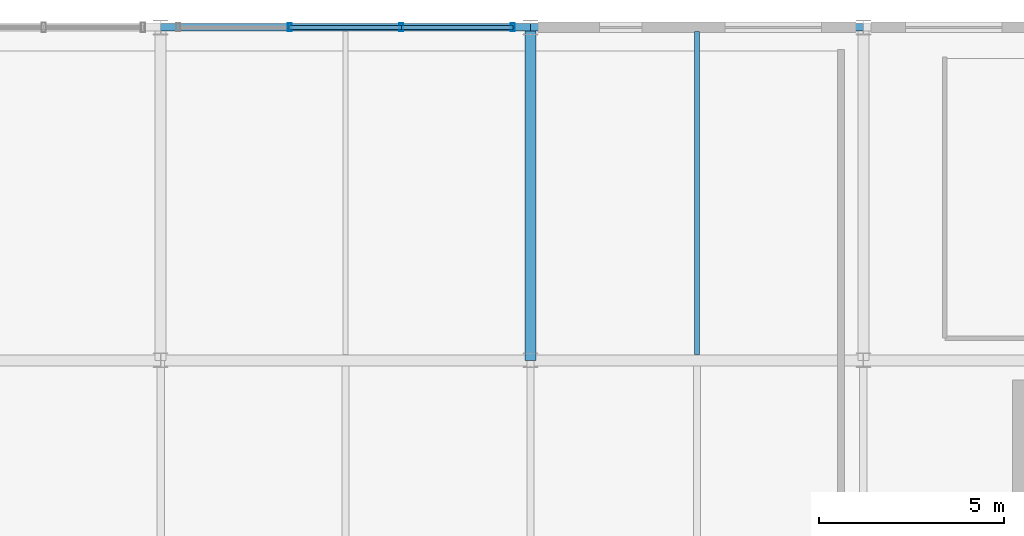
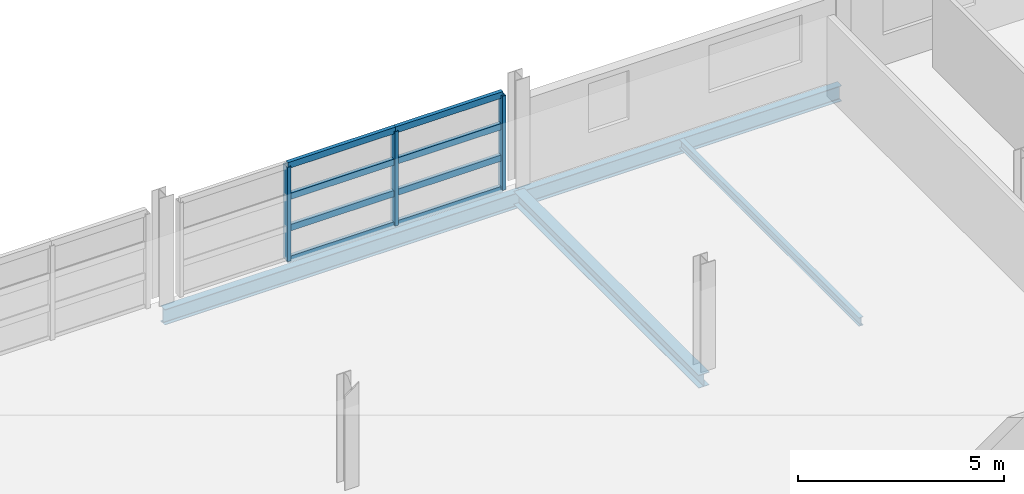
# One storey, part 50 of 86: 11 members, 4 beams, 1 element without a shape of its own.
"""IFC4 building model written with IfcOpenShell, lengths in metres."""

import ifcopenshell
import ifcopenshell.guid

model = None  # the IFC model being written
_history = None  # IfcOwnerHistory: only IFC2X3 demands one
_inside = {}  # id of a spatial element -> (the spatial element, [elements in it])
_under = {}  # id of a project, library or spatial element -> (it, [spatial elements below it])
_declared = {}  # id of a project -> (the project, [libraries it declares])
_typed = {}  # id of a type object -> (the type object, [elements of that type])
_made_of = {}  # id of a material, layer set ... -> (it, [elements and type objects made of it])


def new_model(schema):
    """Start an empty IFC model of exactly this schema.

    Asked for "IFC4X3", IfcOpenShell would pick the latest addendum, in which some entities
    have other attributes; the version numbers below select the first issue.
    IFC2X3 requires an IfcOwnerHistory on every rooted entity: one is made here for all.
    """
    global model, _history
    if schema == "IFC4X3":
        model = ifcopenshell.file(schema_version=(4, 3, 0, 0))
    else:
        model = ifcopenshell.file(schema=schema)
    _inside.clear()
    _under.clear()
    _declared.clear()
    _typed.clear()
    _made_of.clear()
    _history = None
    if model.schema == "IFC2X3":
        org = make("IfcOrganization", Name="unknown")
        user = make(
            "IfcPersonAndOrganization",
            ThePerson=make("IfcPerson", FamilyName="unknown"),
            TheOrganization=org,
        )
        app = make(
            "IfcApplication",
            ApplicationDeveloper=org,
            Version="unknown",
            ApplicationFullName="unknown",
            ApplicationIdentifier="unknown",
        )
        _history = make(
            "IfcOwnerHistory",
            OwningUser=user,
            OwningApplication=app,
            ChangeAction="ADDED",
            CreationDate=0,
        )
    return model


def make(cls, **values):
    """One entity of the class cls with the attributes given. An attribute that is None is left unset."""
    return model.create_entity(
        cls, **{name: value for name, value in values.items() if value is not None}
    )


def rooted(cls, **values):
    """An entity with a GlobalId (a new one), such as an element, a storey or a relation."""
    return make(cls, GlobalId=ifcopenshell.guid.new(), OwnerHistory=_history, **values)


def si_unit(unit_type, name, prefix=None):
    """IfcSIUnit, for example si_unit("LENGTHUNIT", "METRE", prefix="MILLI")."""
    return make("IfcSIUnit", UnitType=unit_type, Prefix=prefix, Name=name)


def assignment(units):
    """IfcUnitAssignment: the units of a project."""
    return None if units is None else make("IfcUnitAssignment", Units=units)


def point(xyz):
    """IfcCartesianPoint."""
    return None if xyz is None else make("IfcCartesianPoint", Coordinates=xyz)


def direction(xyz):
    """IfcDirection."""
    return None if xyz is None else make("IfcDirection", DirectionRatios=xyz)


def frame(location, z_axis=None, x_axis=None):
    """IfcAxis2Placement3D, a coordinate frame: its origin and axes. An axis left out is left unset."""
    return make(
        "IfcAxis2Placement3D",
        Location=point(location),
        Axis=direction(z_axis),
        RefDirection=direction(x_axis),
    )


def frame_2d(location, x_axis=None):
    """IfcAxis2Placement2D, a coordinate frame in the plane: its origin and x axis."""
    return make(
        "IfcAxis2Placement2D", Location=point(location), RefDirection=direction(x_axis)
    )


def origin():
    """The frame at (0, 0, 0) with its axes left unset."""
    return frame((0.0, 0.0, 0.0))


def origin_2d():
    """The frame at (0, 0) in the plane with its x axis left unset."""
    return frame_2d((0.0, 0.0))


def place(relative_to, where):
    """IfcLocalPlacement: puts the frame where relative to a parent placement (None: the world)."""
    return make(
        "IfcLocalPlacement", PlacementRelTo=relative_to, RelativePlacement=where
    )


def context(
    kind, dimensions, precision=None, world=None, true_north=None, identifier=None
):
    """IfcGeometricRepresentationContext, for example the 3D "Model" context."""
    return make(
        "IfcGeometricRepresentationContext",
        ContextIdentifier=identifier,
        ContextType=kind,
        CoordinateSpaceDimension=dimensions,
        Precision=precision,
        WorldCoordinateSystem=world,
        TrueNorth=true_north,
    )


def subcontext(parent, identifier, kind, view, scale=None):
    """IfcGeometricRepresentationSubContext, for example "Body" below "Model"."""
    return make(
        "IfcGeometricRepresentationSubContext",
        ContextIdentifier=identifier,
        ContextType=kind,
        ParentContext=parent,
        TargetScale=scale,
        TargetView=view,
    )


def project(units=None, contexts=None):
    """IfcProject with its units and contexts."""
    return rooted(
        "IfcProject",
        Name="project",
        RepresentationContexts=contexts,
        UnitsInContext=assignment(units),
    )


def spatial(cls, under=None, at=None, **own):
    """A site, building, storey or space (cls), placed at a placement, below another one or the project."""
    s = rooted(cls, ObjectPlacement=at, **own)
    if under is not None:
        _under.setdefault(under.id(), (under, []))[1].append(s)
    return s


def profile(cls, at=None, kind="AREA", **sizes):
    """A parametric profile (cls). Its sizes go by their IFC names, for example OverallWidth=200.0."""
    return make(cls, ProfileType=kind, Position=at, **sizes)


def hollow_rectangle(**sizes):
    """IfcRectangleHollowProfileDef."""
    return profile("IfcRectangleHollowProfileDef", **sizes)


def i_section(**sizes):
    """IfcIShapeProfileDef."""
    return profile("IfcIShapeProfileDef", **sizes)


def extrude(swept, where, along, depth):
    """IfcExtrudedAreaSolid: the profile swept, set in the frame where, extruded along a direction by depth."""
    return make(
        "IfcExtrudedAreaSolid",
        SweptArea=swept,
        Position=where,
        ExtrudedDirection=direction(along),
        Depth=depth,
    )


def shape(context_of_items, identifier, shape_type, items):
    """IfcShapeRepresentation: the items that make up one representation, for example the "Body"."""
    return make(
        "IfcShapeRepresentation",
        ContextOfItems=context_of_items,
        RepresentationIdentifier=identifier,
        RepresentationType=shape_type,
        Items=items,
    )


def material(Name=None, Category=None):
    """IfcMaterial."""
    return make("IfcMaterial", Name=Name, Category=Category)


def material_profile(
    of_material, cross_section, Name=None, Category=None, Priority=None
):
    """IfcMaterialProfile: a cross section and its material."""
    return make(
        "IfcMaterialProfile",
        Name=Name,
        Material=of_material,
        Profile=cross_section,
        Priority=Priority,
        Category=Category,
    )


def profile_set(profiles, Name=None, composite=None):
    """IfcMaterialProfileSet."""
    return make(
        "IfcMaterialProfileSet",
        Name=Name,
        MaterialProfiles=profiles,
        CompositeProfile=composite,
    )


def made_of(thing, what):
    """Note that an element or type object is made of a material, layer set ...; save() writes the relation."""
    if what is not None:
        _made_of.setdefault(what.id(), (what, []))[1].append(thing)
    return thing


def type_object(cls, material=None, **own):
    """A type object (cls), such as IfcWallType, which elements share."""
    return made_of(rooted(cls, **own), material)


def element(
    cls,
    number,
    at=None,
    inside=None,
    cuts=None,
    type_object=None,
    material=None,
    context=None,
    identifier="Body",
    shape_type=None,
    held_by="IfcProductDefinitionShape",
    body=None,
    shapes=None,
    **own,
):
    """One element of the class cls, such as IfcWall. Its Tag is "e" and its number.

    at: its placement. inside: the storey or other place that contains it. cuts: it is an
    opening in that element (IfcRelVoidsElement). A single representation is given by context,
    identifier, shape_type and body (its items); several are given by shapes. held_by: the class
    of the entity that holds the representations. save() writes the other relations.
    """
    e = rooted(cls, Tag="e%d" % number, ObjectPlacement=at, **own)
    if body is not None:
        shapes = [shape(context, identifier, shape_type, body)]
    if shapes is not None:
        e.Representation = make(held_by, Representations=shapes)
    if inside is not None:
        _inside.setdefault(inside.id(), (inside, []))[1].append(e)
    if cuts is not None:
        rooted(
            "IfcRelVoidsElement", RelatingBuildingElement=cuts, RelatedOpeningElement=e
        )
    if type_object is not None:
        _typed.setdefault(type_object.id(), (type_object, []))[1].append(e)
    return made_of(e, material)


def aggregate(whole, parts):
    """IfcRelAggregates: a whole, such as a stair, and the parts it consists of."""
    return rooted("IfcRelAggregates", RelatingObject=whole, RelatedObjects=parts)


def save(model, path):
    """Write the relations noted so far, then the file.

    IfcRelAggregates (storeys below a building ...), IfcRelContainedInSpatialStructure (elements
    in a storey), IfcRelDefinesByType, IfcRelAssociatesMaterial and IfcRelDeclares: one each for
    every whole, place, type object, material and project.
    """
    for whole, parts in _under.values():
        aggregate(whole, parts)
    for where, things in _inside.values():
        rooted(
            "IfcRelContainedInSpatialStructure",
            RelatedElements=things,
            RelatingStructure=where,
        )
    for kind, things in _typed.values():
        rooted("IfcRelDefinesByType", RelatedObjects=things, RelatingType=kind)
    for what, things in _made_of.values():
        rooted("IfcRelAssociatesMaterial", RelatedObjects=things, RelatingMaterial=what)
    for by, libraries in _declared.values():
        rooted("IfcRelDeclares", RelatingContext=by, RelatedDefinitions=libraries)
    model.write(path)


model = new_model("IFC4")

# Units and contexts
model_context = context("Model", 3, precision=1e-05, world=origin(), true_north=direction((0.0, 1.0)))
body_context = subcontext(model_context, "Body", "Model", "MODEL_VIEW")
ifc_project = project(units=[si_unit("LENGTHUNIT", "METRE"), si_unit("AREAUNIT", "SQUARE_METRE"), si_unit("VOLUMEUNIT", "CUBIC_METRE"), si_unit("PLANEANGLEUNIT", "RADIAN"), si_unit("MASSUNIT", "GRAM", prefix="KILO")], contexts=[model_context])

# Site, building, storey
site_placement = place(None, origin())
site = spatial("IfcSite", under=ifc_project, at=site_placement, CompositionType="ELEMENT")
building_placement = place(site_placement, origin())
building = spatial("IfcBuilding", under=site, at=building_placement, Name="Chuanluo Vaults Station", CompositionType="ELEMENT")
storey_placement = place(building_placement, frame((0.0, 0.0, 14.39990234375)))
storey = spatial("IfcBuildingStorey", under=building, at=storey_placement, Name="L03", CompositionType="ELEMENT", Elevation=14.39990234375)

# Beams
ifc_material_1 = material(Name="Steel Q355C", Category="steel")
ifc_material_profile_1 = material_profile(ifc_material_1, i_section(OverallWidth=0.300048828125, OverallDepth=0.389892578125, WebThickness=0.010009765625, FlangeThickness=0.01611328125, FilletRadius=0.02001953125, at=origin_2d()))
ifc_profile_set_1 = profile_set([ifc_material_profile_1], Name="Steel Q355C")
beam_type_1 = type_object("IfcBeamType", Name="BM-GRD-400", PredefinedType="BEAM", material=ifc_profile_set_1)
beam_1_placement = place(storey_placement, frame((136.0, 117.0, -0.414794921875), z_axis=(0.0, 1.0, 0.0), x_axis=(-1.0, 0.0, 0.0)))
element("IfcBeam", 1, at=beam_1_placement, inside=storey, type_object=beam_type_1, Name="Floor girder BM:GY:L03:0785", PredefinedType="BEAM", context=body_context, shape_type="SweptSolid", body=[
    extrude(i_section(OverallWidth=0.300048828125, OverallDepth=0.389892578125, WebThickness=0.010009765625, FlangeThickness=0.01611328125, FilletRadius=0.02001953125, at=origin_2d()), origin(), (0.0, 0.0, 1.0), 9.0),
])
ifc_material_2 = material(Name="Steel Q355C", Category="steel")
ifc_material_profile_2 = material_profile(ifc_material_2, i_section(OverallWidth=0.125, OverallDepth=0.25, WebThickness=0.006103515625, FlangeThickness=0.009033203125, FilletRadius=0.011962890625, at=origin_2d()))
ifc_profile_set_2 = profile_set([ifc_material_profile_2], Name="Steel Q355C")
beam_type_2 = type_object("IfcBeamType", Name="BM-SEC-250", PredefinedType="JOIST", material=ifc_profile_set_2)
beam_2_placement = place(storey_placement, frame((140.5, 117.155029296875, -0.344970703125), z_axis=(0.0, 1.0, 0.0), x_axis=(-1.0, 0.0, 0.0)))
element("IfcBeam", 2, at=beam_2_placement, inside=storey, type_object=beam_type_2, Name="Composite secondary joist 0235", PredefinedType="JOIST", context=body_context, shape_type="SweptSolid", body=[
    extrude(i_section(OverallWidth=0.125, OverallDepth=0.25, WebThickness=0.006103515625, FlangeThickness=0.009033203125, FilletRadius=0.011962890625, at=origin_2d()), origin(), (0.0, 0.0, 1.0), 8.737548828125),
])
ifc_material_3 = material(Name="Steel Q355C", Category="steel")
ifc_material_profile_3 = material_profile(ifc_material_3, i_section(OverallWidth=0.205078125, OverallDepth=0.4599609375, WebThickness=0.009033203125, FlangeThickness=0.013916015625, FilletRadius=0.01611328125, at=origin_2d()))
ifc_profile_set_3 = profile_set([ifc_material_profile_3], Name="Steel Q355C")
beam_type_3 = type_object("IfcBeamType", Name="BM-SPN-450", PredefinedType="SPANDREL", material=ifc_profile_set_3)
beam_3_placement = place(storey_placement, frame((126.0, 126.0, -0.449951171875), z_axis=(1.0, 0.0, 0.0), x_axis=(0.0, 1.0, 0.0)))
element("IfcBeam", 3, at=beam_3_placement, inside=storey, type_object=beam_type_3, Name="Floor girder BM:GX:L03:0769", PredefinedType="SPANDREL", context=body_context, shape_type="SweptSolid", body=[
    extrude(i_section(OverallWidth=0.205078125, OverallDepth=0.4599609375, WebThickness=0.009033203125, FlangeThickness=0.013916015625, FilletRadius=0.01611328125, at=origin_2d()), origin(), (0.0, 0.0, 1.0), 10.0),
])
beam_4_placement = place(storey_placement, frame((136.0, 126.0, -0.449951171875), z_axis=(1.0, 0.0, 0.0), x_axis=(0.0, 1.0, 0.0)))
element("IfcBeam", 4, at=beam_4_placement, inside=storey, type_object=beam_type_3, Name="Floor girder BM:GX:L03:0770", PredefinedType="SPANDREL", context=body_context, shape_type="SweptSolid", body=[
    extrude(i_section(OverallWidth=0.205078125, OverallDepth=0.4599609375, WebThickness=0.009033203125, FlangeThickness=0.013916015625, FilletRadius=0.01611328125, at=origin_2d()), origin(), (0.0, 0.0, 1.0), 9.0),
])

# Curtain wall, members
ifc_material_4 = material(Name="Anodised aluminium 6063-T6", Category="aluminium")
curtain_wall_type = type_object("IfcCurtainWallType", Name="CW-SYS-04", PredefinedType="NOTDEFINED", material=ifc_material_4)
curtain_wall_placement = place(storey_placement, origin())
curtain_wall = element("IfcCurtainWall", 5, at=curtain_wall_placement, inside=storey, type_object=curtain_wall_type, Name="Operations L03 facade CW", PredefinedType="NOTDEFINED")
ifc_material_5 = material(Name="Anodised aluminium 6063-T6", Category="aluminium")
ifc_material_profile_4 = material_profile(ifc_material_5, hollow_rectangle(XDim=0.10498046875, YDim=0.219970703125, WallThickness=0.006103515625, at=origin_2d()))
ifc_profile_set_4 = profile_set([ifc_material_profile_4], Name="Anodised aluminium 6063-T6")
member_type_1 = type_object("IfcMemberType", Name="CWM-140", PredefinedType="MULLION", material=ifc_profile_set_4)
member_1_placement = place(storey_placement, frame((129.49169921875, 126.0, 0.0), z_axis=(0.0, 0.0, 1.0), x_axis=(1.0, 0.0, 0.0)))
member_1 = element("IfcMember", 6, at=member_1_placement, type_object=member_type_1, Name="Operations L03 facade CW mullion 2", PredefinedType="MULLION", context=body_context, shape_type="SweptSolid", body=[
    extrude(hollow_rectangle(XDim=0.10498046875, YDim=0.219970703125, WallThickness=0.006103515625, at=origin_2d()), origin(), (0.0, 0.0, 1.0), 2.800048828125),
])
member_2_placement = place(storey_placement, frame((132.50830078125, 126.0, 0.0), z_axis=(0.0, 0.0, 1.0), x_axis=(1.0, 0.0, 0.0)))
member_2 = element("IfcMember", 7, at=member_2_placement, type_object=member_type_1, Name="Operations L03 facade CW mullion 3", PredefinedType="MULLION", context=body_context, shape_type="SweptSolid", body=[
    extrude(hollow_rectangle(XDim=0.10498046875, YDim=0.219970703125, WallThickness=0.006103515625, at=origin_2d()), origin(), (0.0, 0.0, 1.0), 2.800048828125),
])
member_3_placement = place(storey_placement, frame((135.52490234375, 126.0, 0.0), z_axis=(0.0, 0.0, 1.0), x_axis=(1.0, 0.0, 0.0)))
member_3 = element("IfcMember", 8, at=member_3_placement, type_object=member_type_1, Name="Operations L03 facade CW mullion 4", PredefinedType="MULLION", context=body_context, shape_type="SweptSolid", body=[
    extrude(hollow_rectangle(XDim=0.10498046875, YDim=0.219970703125, WallThickness=0.006103515625, at=origin_2d()), origin(), (0.0, 0.0, 1.0), 2.800048828125),
])
ifc_material_6 = material(Name="Anodised aluminium 6063-T6", Category="aluminium")
ifc_material_profile_5 = material_profile(ifc_material_6, hollow_rectangle(XDim=0.10498046875, YDim=0.18505859375, WallThickness=0.0048828125, at=origin_2d()))
ifc_profile_set_5 = profile_set([ifc_material_profile_5], Name="Anodised aluminium 6063-T6")
member_type_2 = type_object("IfcMemberType", Name="CWT-110", PredefinedType="USERDEFINED", material=ifc_profile_set_5)
member_4_placement = place(storey_placement, frame((129.49169921875, 126.0, 0.0), z_axis=(1.0, 0.0, 0.0), x_axis=(0.0, 1.0, 0.0)))
member_4 = element("IfcMember", 9, at=member_4_placement, type_object=member_type_2, Name="Operations L03 facade CW transom 2.1", ObjectType="TRANSOM", PredefinedType="USERDEFINED", context=body_context, shape_type="SweptSolid", body=[
    extrude(hollow_rectangle(XDim=0.10498046875, YDim=0.18505859375, WallThickness=0.0048828125, at=origin_2d()), origin(), (0.0, 0.0, 1.0), 3.0166015625),
])
member_5_placement = place(storey_placement, frame((129.49169921875, 126.0, 0.933349609375), z_axis=(1.0, 0.0, 0.0), x_axis=(0.0, 1.0, 0.0)))
member_5 = element("IfcMember", 10, at=member_5_placement, type_object=member_type_2, Name="Operations L03 facade CW transom 2.2", ObjectType="TRANSOM", PredefinedType="USERDEFINED", context=body_context, shape_type="SweptSolid", body=[
    extrude(hollow_rectangle(XDim=0.10498046875, YDim=0.18505859375, WallThickness=0.0048828125, at=origin_2d()), origin(), (0.0, 0.0, 1.0), 3.0166015625),
])
member_6_placement = place(storey_placement, frame((129.49169921875, 126.0, 1.86669921875), z_axis=(1.0, 0.0, 0.0), x_axis=(0.0, 1.0, 0.0)))
member_6 = element("IfcMember", 11, at=member_6_placement, type_object=member_type_2, Name="Operations L03 facade CW transom 2.3", ObjectType="TRANSOM", PredefinedType="USERDEFINED", context=body_context, shape_type="SweptSolid", body=[
    extrude(hollow_rectangle(XDim=0.10498046875, YDim=0.18505859375, WallThickness=0.0048828125, at=origin_2d()), origin(), (0.0, 0.0, 1.0), 3.0166015625),
])
member_7_placement = place(storey_placement, frame((129.49169921875, 126.0, 2.800048828125), z_axis=(1.0, 0.0, 0.0), x_axis=(0.0, 1.0, 0.0)))
member_7 = element("IfcMember", 12, at=member_7_placement, type_object=member_type_2, Name="Operations L03 facade CW transom 2.4", ObjectType="TRANSOM", PredefinedType="USERDEFINED", context=body_context, shape_type="SweptSolid", body=[
    extrude(hollow_rectangle(XDim=0.10498046875, YDim=0.18505859375, WallThickness=0.0048828125, at=origin_2d()), origin(), (0.0, 0.0, 1.0), 3.0166015625),
])
member_8_placement = place(storey_placement, frame((132.50830078125, 126.0, 0.0), z_axis=(1.0, 0.0, 0.0), x_axis=(0.0, 1.0, 0.0)))
member_8 = element("IfcMember", 13, at=member_8_placement, type_object=member_type_2, Name="Operations L03 facade CW transom 3.1", ObjectType="TRANSOM", PredefinedType="USERDEFINED", context=body_context, shape_type="SweptSolid", body=[
    extrude(hollow_rectangle(XDim=0.10498046875, YDim=0.18505859375, WallThickness=0.0048828125, at=origin_2d()), origin(), (0.0, 0.0, 1.0), 3.0166015625),
])
member_9_placement = place(storey_placement, frame((132.50830078125, 126.0, 0.933349609375), z_axis=(1.0, 0.0, 0.0), x_axis=(0.0, 1.0, 0.0)))
member_9 = element("IfcMember", 14, at=member_9_placement, type_object=member_type_2, Name="Operations L03 facade CW transom 3.2", ObjectType="TRANSOM", PredefinedType="USERDEFINED", context=body_context, shape_type="SweptSolid", body=[
    extrude(hollow_rectangle(XDim=0.10498046875, YDim=0.18505859375, WallThickness=0.0048828125, at=origin_2d()), origin(), (0.0, 0.0, 1.0), 3.0166015625),
])
member_10_placement = place(storey_placement, frame((132.50830078125, 126.0, 1.86669921875), z_axis=(1.0, 0.0, 0.0), x_axis=(0.0, 1.0, 0.0)))
member_10 = element("IfcMember", 15, at=member_10_placement, type_object=member_type_2, Name="Operations L03 facade CW transom 3.3", ObjectType="TRANSOM", PredefinedType="USERDEFINED", context=body_context, shape_type="SweptSolid", body=[
    extrude(hollow_rectangle(XDim=0.10498046875, YDim=0.18505859375, WallThickness=0.0048828125, at=origin_2d()), origin(), (0.0, 0.0, 1.0), 3.0166015625),
])
member_11_placement = place(storey_placement, frame((132.50830078125, 126.0, 2.800048828125), z_axis=(1.0, 0.0, 0.0), x_axis=(0.0, 1.0, 0.0)))
member_11 = element("IfcMember", 16, at=member_11_placement, type_object=member_type_2, Name="Operations L03 facade CW transom 3.4", ObjectType="TRANSOM", PredefinedType="USERDEFINED", context=body_context, shape_type="SweptSolid", body=[
    extrude(hollow_rectangle(XDim=0.10498046875, YDim=0.18505859375, WallThickness=0.0048828125, at=origin_2d()), origin(), (0.0, 0.0, 1.0), 3.0166015625),
])
aggregate(curtain_wall, [member_1, member_2, member_3, member_4, member_5, member_6, member_7, member_8, member_9, member_10, member_11])

save(model, "model.ifc")
